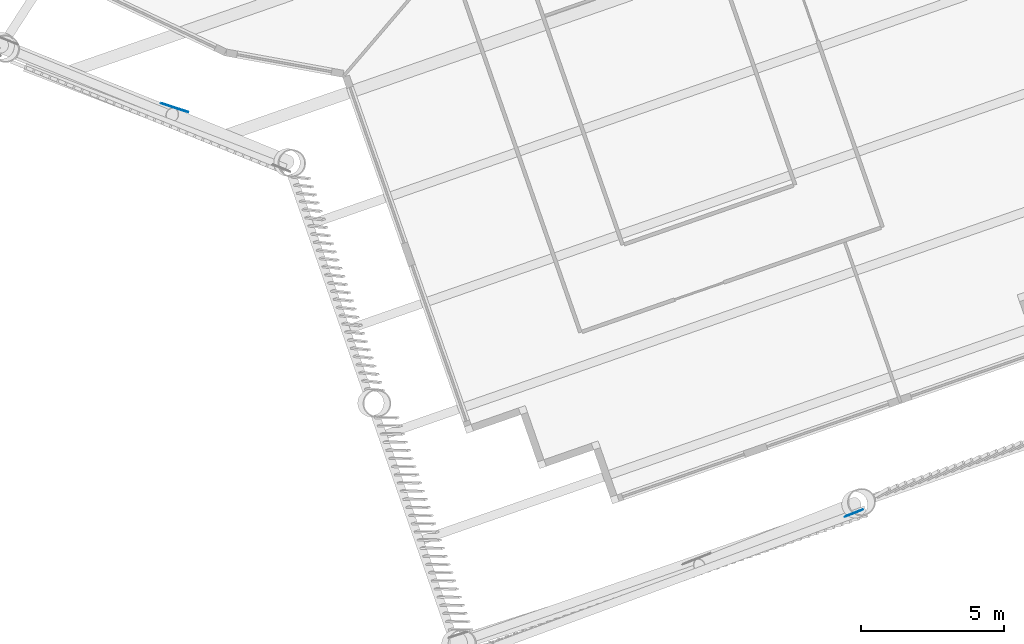
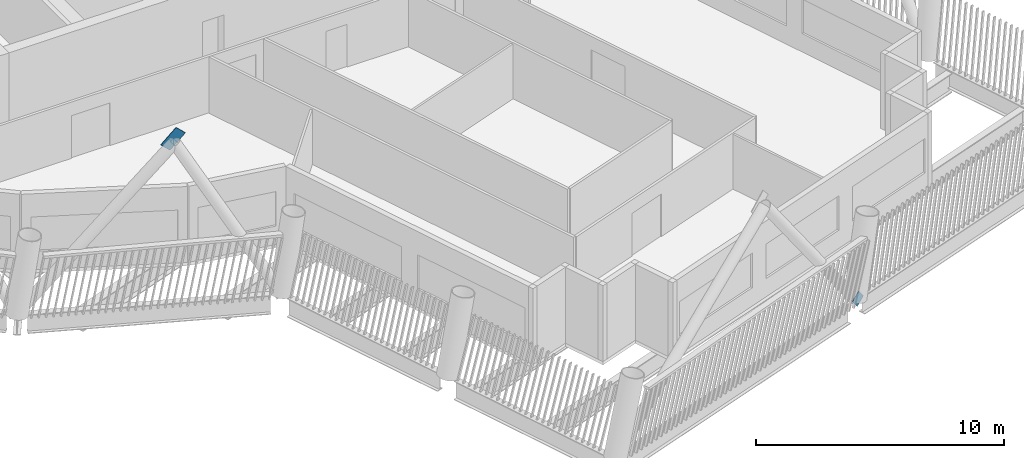
# One storey, part 9 of 23: 2 discrete accessories.
"""IFC4 building model written with IfcOpenShell, lengths in metres."""

import ifcopenshell
import ifcopenshell.guid

model = None  # the IFC model being written
_history = None  # IfcOwnerHistory: only IFC2X3 demands one
_inside = {}  # id of a spatial element -> (the spatial element, [elements in it])
_under = {}  # id of a project, library or spatial element -> (it, [spatial elements below it])
_declared = {}  # id of a project -> (the project, [libraries it declares])
_typed = {}  # id of a type object -> (the type object, [elements of that type])
_made_of = {}  # id of a material, layer set ... -> (it, [elements and type objects made of it])


def new_model(schema):
    """Start an empty IFC model of exactly this schema.

    Asked for "IFC4X3", IfcOpenShell would pick the latest addendum, in which some entities
    have other attributes; the version numbers below select the first issue.
    IFC2X3 requires an IfcOwnerHistory on every rooted entity: one is made here for all.
    """
    global model, _history
    if schema == "IFC4X3":
        model = ifcopenshell.file(schema_version=(4, 3, 0, 0))
    else:
        model = ifcopenshell.file(schema=schema)
    _inside.clear()
    _under.clear()
    _declared.clear()
    _typed.clear()
    _made_of.clear()
    _history = None
    if model.schema == "IFC2X3":
        org = make("IfcOrganization", Name="unknown")
        user = make(
            "IfcPersonAndOrganization",
            ThePerson=make("IfcPerson", FamilyName="unknown"),
            TheOrganization=org,
        )
        app = make(
            "IfcApplication",
            ApplicationDeveloper=org,
            Version="unknown",
            ApplicationFullName="unknown",
            ApplicationIdentifier="unknown",
        )
        _history = make(
            "IfcOwnerHistory",
            OwningUser=user,
            OwningApplication=app,
            ChangeAction="ADDED",
            CreationDate=0,
        )
    return model


def make(cls, **values):
    """One entity of the class cls with the attributes given. An attribute that is None is left unset."""
    return model.create_entity(
        cls, **{name: value for name, value in values.items() if value is not None}
    )


def rooted(cls, **values):
    """An entity with a GlobalId (a new one), such as an element, a storey or a relation."""
    return make(cls, GlobalId=ifcopenshell.guid.new(), OwnerHistory=_history, **values)


def si_unit(unit_type, name, prefix=None):
    """IfcSIUnit, for example si_unit("LENGTHUNIT", "METRE", prefix="MILLI")."""
    return make("IfcSIUnit", UnitType=unit_type, Prefix=prefix, Name=name)


def assignment(units):
    """IfcUnitAssignment: the units of a project."""
    return None if units is None else make("IfcUnitAssignment", Units=units)


def point(xyz):
    """IfcCartesianPoint."""
    return None if xyz is None else make("IfcCartesianPoint", Coordinates=xyz)


def direction(xyz):
    """IfcDirection."""
    return None if xyz is None else make("IfcDirection", DirectionRatios=xyz)


def frame(location, z_axis=None, x_axis=None):
    """IfcAxis2Placement3D, a coordinate frame: its origin and axes. An axis left out is left unset."""
    return make(
        "IfcAxis2Placement3D",
        Location=point(location),
        Axis=direction(z_axis),
        RefDirection=direction(x_axis),
    )


def frame_2d(location, x_axis=None):
    """IfcAxis2Placement2D, a coordinate frame in the plane: its origin and x axis."""
    return make(
        "IfcAxis2Placement2D", Location=point(location), RefDirection=direction(x_axis)
    )


def origin():
    """The frame at (0, 0, 0) with its axes left unset."""
    return frame((0.0, 0.0, 0.0))


def origin_2d():
    """The frame at (0, 0) in the plane with its x axis left unset."""
    return frame_2d((0.0, 0.0))


def place(relative_to, where):
    """IfcLocalPlacement: puts the frame where relative to a parent placement (None: the world)."""
    return make(
        "IfcLocalPlacement", PlacementRelTo=relative_to, RelativePlacement=where
    )


def context(
    kind, dimensions, precision=None, world=None, true_north=None, identifier=None
):
    """IfcGeometricRepresentationContext, for example the 3D "Model" context."""
    return make(
        "IfcGeometricRepresentationContext",
        ContextIdentifier=identifier,
        ContextType=kind,
        CoordinateSpaceDimension=dimensions,
        Precision=precision,
        WorldCoordinateSystem=world,
        TrueNorth=true_north,
    )


def subcontext(parent, identifier, kind, view, scale=None):
    """IfcGeometricRepresentationSubContext, for example "Body" below "Model"."""
    return make(
        "IfcGeometricRepresentationSubContext",
        ContextIdentifier=identifier,
        ContextType=kind,
        ParentContext=parent,
        TargetScale=scale,
        TargetView=view,
    )


def project(units=None, contexts=None):
    """IfcProject with its units and contexts."""
    return rooted(
        "IfcProject",
        Name="project",
        RepresentationContexts=contexts,
        UnitsInContext=assignment(units),
    )


def spatial(cls, under=None, at=None, **own):
    """A site, building, storey or space (cls), placed at a placement, below another one or the project."""
    s = rooted(cls, ObjectPlacement=at, **own)
    if under is not None:
        _under.setdefault(under.id(), (under, []))[1].append(s)
    return s


def profile(cls, at=None, kind="AREA", **sizes):
    """A parametric profile (cls). Its sizes go by their IFC names, for example OverallWidth=200.0."""
    return make(cls, ProfileType=kind, Position=at, **sizes)


def rectangle(**sizes):
    """IfcRectangleProfileDef."""
    return profile("IfcRectangleProfileDef", **sizes)


def extrude(swept, where, along, depth):
    """IfcExtrudedAreaSolid: the profile swept, set in the frame where, extruded along a direction by depth."""
    return make(
        "IfcExtrudedAreaSolid",
        SweptArea=swept,
        Position=where,
        ExtrudedDirection=direction(along),
        Depth=depth,
    )


def shape(context_of_items, identifier, shape_type, items):
    """IfcShapeRepresentation: the items that make up one representation, for example the "Body"."""
    return make(
        "IfcShapeRepresentation",
        ContextOfItems=context_of_items,
        RepresentationIdentifier=identifier,
        RepresentationType=shape_type,
        Items=items,
    )


def material(Name=None, Category=None):
    """IfcMaterial."""
    return make("IfcMaterial", Name=Name, Category=Category)


def material_profile(
    of_material, cross_section, Name=None, Category=None, Priority=None
):
    """IfcMaterialProfile: a cross section and its material."""
    return make(
        "IfcMaterialProfile",
        Name=Name,
        Material=of_material,
        Profile=cross_section,
        Priority=Priority,
        Category=Category,
    )


def profile_set(profiles, Name=None, composite=None):
    """IfcMaterialProfileSet."""
    return make(
        "IfcMaterialProfileSet",
        Name=Name,
        MaterialProfiles=profiles,
        CompositeProfile=composite,
    )


def made_of(thing, what):
    """Note that an element or type object is made of a material, layer set ...; save() writes the relation."""
    if what is not None:
        _made_of.setdefault(what.id(), (what, []))[1].append(thing)
    return thing


def type_object(cls, material=None, **own):
    """A type object (cls), such as IfcWallType, which elements share."""
    return made_of(rooted(cls, **own), material)


def element(
    cls,
    number,
    at=None,
    inside=None,
    cuts=None,
    type_object=None,
    material=None,
    context=None,
    identifier="Body",
    shape_type=None,
    held_by="IfcProductDefinitionShape",
    body=None,
    shapes=None,
    **own,
):
    """One element of the class cls, such as IfcWall. Its Tag is "e" and its number.

    at: its placement. inside: the storey or other place that contains it. cuts: it is an
    opening in that element (IfcRelVoidsElement). A single representation is given by context,
    identifier, shape_type and body (its items); several are given by shapes. held_by: the class
    of the entity that holds the representations. save() writes the other relations.
    """
    e = rooted(cls, Tag="e%d" % number, ObjectPlacement=at, **own)
    if body is not None:
        shapes = [shape(context, identifier, shape_type, body)]
    if shapes is not None:
        e.Representation = make(held_by, Representations=shapes)
    if inside is not None:
        _inside.setdefault(inside.id(), (inside, []))[1].append(e)
    if cuts is not None:
        rooted(
            "IfcRelVoidsElement", RelatingBuildingElement=cuts, RelatedOpeningElement=e
        )
    if type_object is not None:
        _typed.setdefault(type_object.id(), (type_object, []))[1].append(e)
    return made_of(e, material)


def aggregate(whole, parts):
    """IfcRelAggregates: a whole, such as a stair, and the parts it consists of."""
    return rooted("IfcRelAggregates", RelatingObject=whole, RelatedObjects=parts)


def save(model, path):
    """Write the relations noted so far, then the file.

    IfcRelAggregates (storeys below a building ...), IfcRelContainedInSpatialStructure (elements
    in a storey), IfcRelDefinesByType, IfcRelAssociatesMaterial and IfcRelDeclares: one each for
    every whole, place, type object, material and project.
    """
    for whole, parts in _under.values():
        aggregate(whole, parts)
    for where, things in _inside.values():
        rooted(
            "IfcRelContainedInSpatialStructure",
            RelatedElements=things,
            RelatingStructure=where,
        )
    for kind, things in _typed.values():
        rooted("IfcRelDefinesByType", RelatedObjects=things, RelatingType=kind)
    for what, things in _made_of.values():
        rooted("IfcRelAssociatesMaterial", RelatedObjects=things, RelatingMaterial=what)
    for by, libraries in _declared.values():
        rooted("IfcRelDeclares", RelatingContext=by, RelatedDefinitions=libraries)
    model.write(path)


model = new_model("IFC4")

# Units and contexts
model_context = context("Model", 3, precision=1e-05, world=origin(), true_north=direction((0.0, 1.0)))
body_context = subcontext(model_context, "Body", "Model", "MODEL_VIEW")
ifc_project = project(units=[si_unit("LENGTHUNIT", "METRE"), si_unit("AREAUNIT", "SQUARE_METRE"), si_unit("VOLUMEUNIT", "CUBIC_METRE"), si_unit("PLANEANGLEUNIT", "RADIAN"), si_unit("MASSUNIT", "GRAM", prefix="KILO")], contexts=[model_context])

# Site, building, storey
site_placement = place(None, origin())
site = spatial("IfcSite", under=ifc_project, at=site_placement, CompositionType="ELEMENT")
building_placement = place(site_placement, origin())
building = spatial("IfcBuilding", under=site, at=building_placement, Name="Tarsis Ring Headquarters", CompositionType="ELEMENT")
storey_placement = place(building_placement, frame((0.0, 0.0, 308.0)))
storey = spatial("IfcBuildingStorey", under=building, at=storey_placement, Name="L72", CompositionType="ELEMENT", Elevation=308.0)

# Discrete accessories
ifc_material = material(Name="Structural steel S355", Category="steel")
ifc_material_profile = material_profile(ifc_material, rectangle(XDim=0.02490234375, YDim=0.5, at=origin_2d()), Name="PL 25x500")
ifc_profile_set = profile_set([ifc_material_profile], Name="Structural steel S355")
discrete_accessory_type = type_object("IfcDiscreteAccessoryType", Name="Gusset plate Exo brace 25", PredefinedType="BRACKET", material=ifc_profile_set)
discrete_accessory_1_placement = place(storey_placement, frame((-9.99853515625, -26.46533203125, 7.4140625), z_axis=(0.604198476965, -0.19773768337, 0.771909326935), x_axis=(0.311039060415, 0.950397129045, 0.0)))
element("IfcDiscreteAccessory", 1, at=discrete_accessory_1_placement, inside=storey, type_object=discrete_accessory_type, Name="Gusset plate GP5", PredefinedType="BRACKET", context=body_context, shape_type="SweptSolid", body=[
    extrude(rectangle(XDim=0.02490234375, YDim=0.5, at=origin_2d()), origin(), (0.0, 0.0, 1.0), 1.0),
])
discrete_accessory_2_placement = place(storey_placement, frame((14.17333984375, -40.667236328125, 0.0), z_axis=(-0.557644975353, -0.220225817762, 0.800332849916), x_axis=(0.367314877222, -0.930096651414, 0.0)))
element("IfcDiscreteAccessory", 2, at=discrete_accessory_2_placement, inside=storey, type_object=discrete_accessory_type, Name="Gusset plate GP5", PredefinedType="BRACKET", context=body_context, shape_type="SweptSolid", body=[
    extrude(rectangle(XDim=0.02490234375, YDim=0.5, at=origin_2d()), origin(), (0.0, 0.0, 1.0), 0.5),
])

save(model, "model.ifc")
